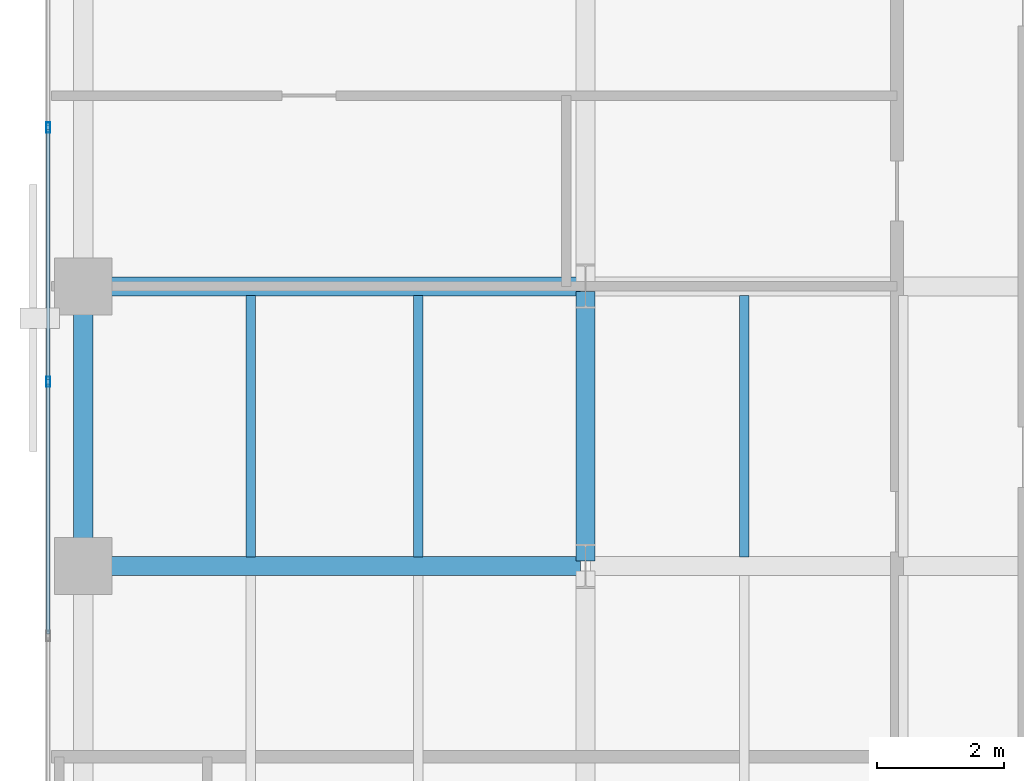
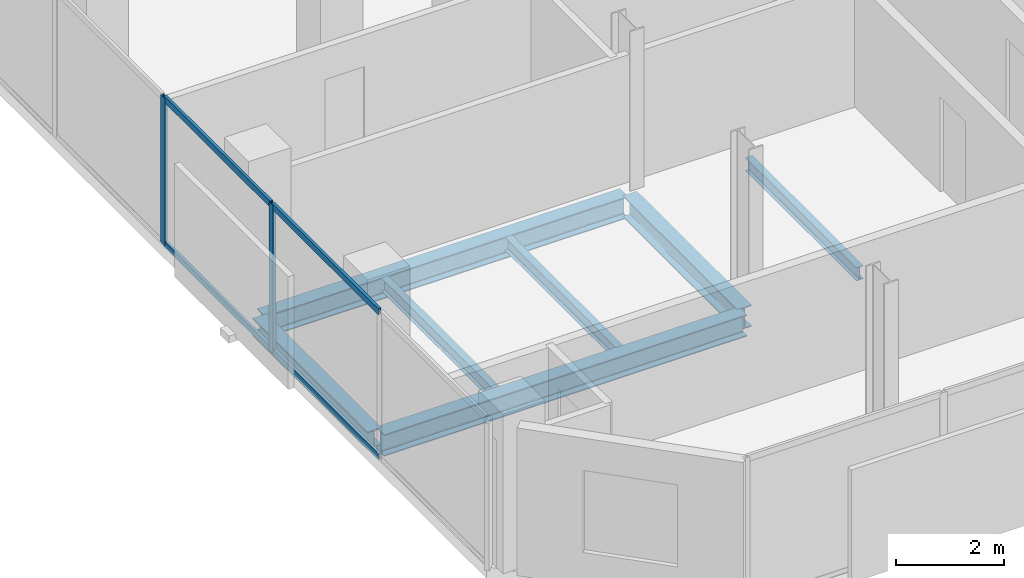
# One storey, part 5 of 33: 7 beams, 6 members, 1 element without a shape of its own.
"""IFC4 building model written with IfcOpenShell, lengths in metres."""

from ifc_helpers import new_model, si_unit, direction, frame, origin, origin_2d, place, context, subcontext, project, spatial, hollow_rectangle, i_section, extrude, material, layer, layer_set, material_profile, profile_set, type_object, element, aggregate, save


model = new_model("IFC4")

# Units and contexts
model_context = context("Model", 3, precision=1e-05, world=origin(), true_north=direction((0.0, 1.0)))
body_context = subcontext(model_context, "Body", "Model", "MODEL_VIEW")
ifc_project = project(units=[si_unit("LENGTHUNIT", "METRE"), si_unit("AREAUNIT", "SQUARE_METRE"), si_unit("VOLUMEUNIT", "CUBIC_METRE"), si_unit("PLANEANGLEUNIT", "RADIAN"), si_unit("MASSUNIT", "GRAM", prefix="KILO")], contexts=[model_context])

# Site, building, storey
site_placement = place(None, origin())
site = spatial("IfcSite", under=ifc_project, at=site_placement, CompositionType="ELEMENT")
building_placement = place(site_placement, origin())
building = spatial("IfcBuilding", under=site, at=building_placement, Name="Catumbela Crestline Tower", CompositionType="ELEMENT")
storey_placement = place(building_placement, frame((0.0, 0.0, 100.8)))
storey = spatial("IfcBuildingStorey", under=building, at=storey_placement, Name="L25", CompositionType="ELEMENT", Elevation=100.8)

# Beams
ifc_material_1 = material(Name="Structural steel S355J2", Category="steel")
ifc_material_profile_1 = material_profile(ifc_material_1, i_section(OverallWidth=0.3, OverallDepth=0.49, WebThickness=0.012, FlangeThickness=0.023, FilletRadius=0.027, at=origin_2d()), Name="HEA 500")
ifc_profile_set_1 = profile_set([ifc_material_profile_1], Name="Structural steel S355J2")
beam_type_1 = type_object("IfcBeamType", Name="BG-HEA500", PredefinedType="BEAM", material=ifc_profile_set_1)
for number, where, z_axis, x_axis, name in (
    (1, (0.68, 13.6, -0.505), (1.0, 0.0, 0.0), (0.0, 1.0, 0.0), "L25 Beam BM-L25-WEW46"),
    (2, (0.68, 18.0, -0.505), (1.0, 0.0, 0.0), (0.0, 1.0, 0.0), "L25 Beam BM-L25-WEW49"),
):
    element("IfcBeam", number, at=place(storey_placement, frame(where, z_axis=z_axis, x_axis=x_axis)), inside=storey, type_object=beam_type_1, Name=name, PredefinedType="BEAM", context=body_context, shape_type="SweptSolid", body=[
        extrude(i_section(OverallWidth=0.3, OverallDepth=0.49, WebThickness=0.012, FlangeThickness=0.023, FilletRadius=0.027, at=origin_2d()), origin(), (0.0, 0.0, 1.0), 7.74),
    ])
beam_1_placement = place(storey_placement, frame((8.5, 13.68, -0.505), z_axis=(0.0, 1.0, 0.0), x_axis=(-1.0, 0.0, 0.0)))
element("IfcBeam", 3, at=beam_1_placement, inside=storey, type_object=beam_type_1, Name="L25 Beam BM-L25-WNS56", PredefinedType="BEAM", context=body_context, shape_type="SweptSolid", body=[
    extrude(i_section(OverallWidth=0.3, OverallDepth=0.49, WebThickness=0.012, FlangeThickness=0.023, FilletRadius=0.027, at=origin_2d()), origin(), (0.0, 0.0, 1.0), 4.24),
])
ifc_material_profile_2 = material_profile(ifc_material_1, i_section(OverallWidth=0.15, OverallDepth=0.3, WebThickness=0.0071, FlangeThickness=0.0107, FilletRadius=0.015, at=origin_2d()), Name="IPE 300")
ifc_profile_set_2 = profile_set([ifc_material_profile_2], Name="Structural steel S355J2")
beam_type_2 = type_object("IfcBeamType", Name="BJ-IPE300", PredefinedType="JOIST", material=ifc_profile_set_2)
for number, where, z_axis, x_axis, name in (
    (4, (3.233, 13.747, -0.41), (0.0, 1.0, 0.0), (-1.0, 0.0, 0.0), "L25 Joist JS-L25-WG69"),
    (5, (5.867, 13.747, -0.41), (0.0, 1.0, 0.0), (-1.0, 0.0, 0.0), "L25 Joist JS-L25-WG70"),
    (6, (11.0, 13.747, -0.41), (0.0, 1.0, 0.0), (-1.0, 0.0, 0.0), "L25 Joist JS-L25-WG71"),
):
    element("IfcBeam", number, at=place(storey_placement, frame(where, z_axis=z_axis, x_axis=x_axis)), inside=storey, type_object=beam_type_2, Name=name, PredefinedType="JOIST", context=body_context, shape_type="SweptSolid", body=[
        extrude(i_section(OverallWidth=0.15, OverallDepth=0.3, WebThickness=0.0071, FlangeThickness=0.0107, FilletRadius=0.015, at=origin_2d()), origin(), (0.0, 0.0, 1.0), 4.106),
    ])

# Curtain wall, members
ifc_material_2 = material(Name="Aluminium alloy AW-6060-T66", Category="aluminium")
ifc_layer = layer(ifc_material_2, 0.18, Name="Aluminium alloy AW-6060-T66")
ifc_layer_set = layer_set([ifc_layer], Name="Aluminium alloy AW-6060-T66")
curtain_wall_type = type_object("IfcCurtainWallType", Name="CWU-Z2", PredefinedType="USERDEFINED", material=ifc_layer_set)
curtain_wall_placement = place(storey_placement, origin())
curtain_wall = element("IfcCurtainWall", 7, at=curtain_wall_placement, inside=storey, type_object=curtain_wall_type, Name="L25 Unitised Curtain Wall CW-L25-E9S1", ObjectType="UNITISED", PredefinedType="USERDEFINED")
ifc_material_profile_3 = material_profile(ifc_material_2, hollow_rectangle(XDim=0.06, YDim=0.16, WallThickness=0.004, at=origin_2d()), Name="ALU 160x60x4")
ifc_profile_set_3 = profile_set([ifc_material_profile_3], Name="Aluminium alloy AW-6060-T66")
member_type_1 = type_object("IfcMemberType", Name="MUL-160X60", PredefinedType="MULLION", material=ifc_profile_set_3)
member_1_placement = place(storey_placement, frame((0.05, 20.5, 0.0), z_axis=(0.0, 0.0, 1.0), x_axis=(1.0, 0.0, 0.0)))
member_1 = element("IfcMember", 8, at=member_1_placement, type_object=member_type_1, Name="CWU-Z2 mullion 7", PredefinedType="MULLION", context=body_context, shape_type="SweptSolid", body=[
    extrude(hollow_rectangle(XDim=0.06, YDim=0.16, WallThickness=0.004, at=origin_2d()), origin(), (0.0, 0.0, 1.0), 3.33),
])
member_2_placement = place(storey_placement, frame((0.05, 16.5, 0.0), z_axis=(0.0, 0.0, 1.0), x_axis=(1.0, 0.0, 0.0)))
member_2 = element("IfcMember", 9, at=member_2_placement, type_object=member_type_1, Name="CWU-Z2 mullion 8", PredefinedType="MULLION", context=body_context, shape_type="SweptSolid", body=[
    extrude(hollow_rectangle(XDim=0.06, YDim=0.16, WallThickness=0.004, at=origin_2d()), origin(), (0.0, 0.0, 1.0), 3.33),
])

# Beam
ifc_material_profile_4 = material_profile(ifc_material_1, i_section(OverallWidth=0.3, OverallDepth=0.4, WebThickness=0.0135, FlangeThickness=0.024, FilletRadius=0.027, at=origin_2d()), Name="HEB 400")
ifc_profile_set_4 = profile_set([ifc_material_profile_4], Name="Structural steel S355J2")
beam_type_3 = type_object("IfcBeamType", Name="BS-HEB400", PredefinedType="SPANDREL", material=ifc_profile_set_4)
beam_2_placement = place(storey_placement, frame((0.6, 13.68, -0.46), z_axis=(0.0, 1.0, 0.0), x_axis=(-1.0, 0.0, 0.0)))
element("IfcBeam", 10, at=beam_2_placement, inside=storey, type_object=beam_type_3, Name="L25 Spandrel SP-L25-WNS53", PredefinedType="SPANDREL", context=body_context, shape_type="SweptSolid", body=[
    extrude(i_section(OverallWidth=0.3, OverallDepth=0.4, WebThickness=0.0135, FlangeThickness=0.024, FilletRadius=0.027, at=origin_2d()), origin(), (0.0, 0.0, 1.0), 4.24),
])

# Member
ifc_material_profile_5 = material_profile(ifc_material_2, hollow_rectangle(XDim=0.06, YDim=0.14, WallThickness=0.004, at=origin_2d()), Name="ALU 140x60x4")
ifc_profile_set_5 = profile_set([ifc_material_profile_5], Name="Aluminium alloy AW-6060-T66")
member_type_2 = type_object("IfcMemberType", Name="TRN-140X60", PredefinedType="USERDEFINED", material=ifc_profile_set_5)
member_3_placement = place(storey_placement, frame((0.05, 20.4675, 0.03), z_axis=(0.0, -1.0, 0.0), x_axis=(1.0, 0.0, 0.0)))
member_3 = element("IfcMember", 11, at=member_3_placement, type_object=member_type_2, Name="CWU-Z2 transom 7.1", ObjectType="TRANSOM", PredefinedType="USERDEFINED", context=body_context, shape_type="SweptSolid", body=[
    extrude(hollow_rectangle(XDim=0.06, YDim=0.14, WallThickness=0.004, at=origin_2d()), origin(), (0.0, 0.0, 1.0), 3.935),
])

member_4_placement = place(storey_placement, frame((0.05, 20.4675, 3.3), z_axis=(0.0, -1.0, 0.0), x_axis=(1.0, 0.0, 0.0)))
member_4 = element("IfcMember", 12, at=member_4_placement, type_object=member_type_2, Name="CWU-Z2 transom 7.2", ObjectType="TRANSOM", PredefinedType="USERDEFINED", context=body_context, shape_type="SweptSolid", body=[
    extrude(hollow_rectangle(XDim=0.06, YDim=0.14, WallThickness=0.004, at=origin_2d()), origin(), (0.0, 0.0, 1.0), 3.935),
])

member_5_placement = place(storey_placement, frame((0.05, 16.4675, 0.03), z_axis=(0.0, -1.0, 0.0), x_axis=(1.0, 0.0, 0.0)))
member_5 = element("IfcMember", 13, at=member_5_placement, type_object=member_type_2, Name="CWU-Z2 transom 8.1", ObjectType="TRANSOM", PredefinedType="USERDEFINED", context=body_context, shape_type="SweptSolid", body=[
    extrude(hollow_rectangle(XDim=0.06, YDim=0.14, WallThickness=0.004, at=origin_2d()), origin(), (0.0, 0.0, 1.0), 3.935),
])

member_6_placement = place(storey_placement, frame((0.05, 16.4675, 3.3), z_axis=(0.0, -1.0, 0.0), x_axis=(1.0, 0.0, 0.0)))
member_6 = element("IfcMember", 14, at=member_6_placement, type_object=member_type_2, Name="CWU-Z2 transom 8.2", ObjectType="TRANSOM", PredefinedType="USERDEFINED", context=body_context, shape_type="SweptSolid", body=[
    extrude(hollow_rectangle(XDim=0.06, YDim=0.14, WallThickness=0.004, at=origin_2d()), origin(), (0.0, 0.0, 1.0), 3.935),
])

aggregate(curtain_wall, [member_1, member_2, member_3, member_4, member_5, member_6])

save(model, "model.ifc")
